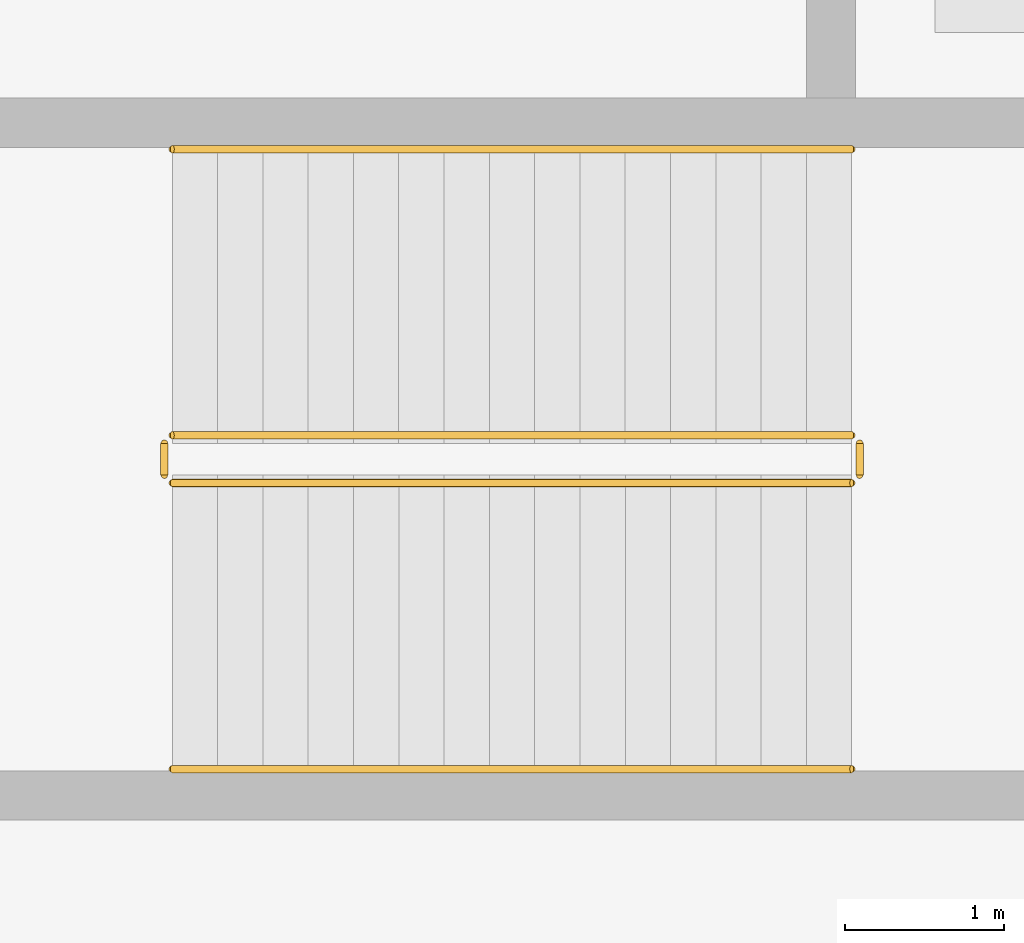
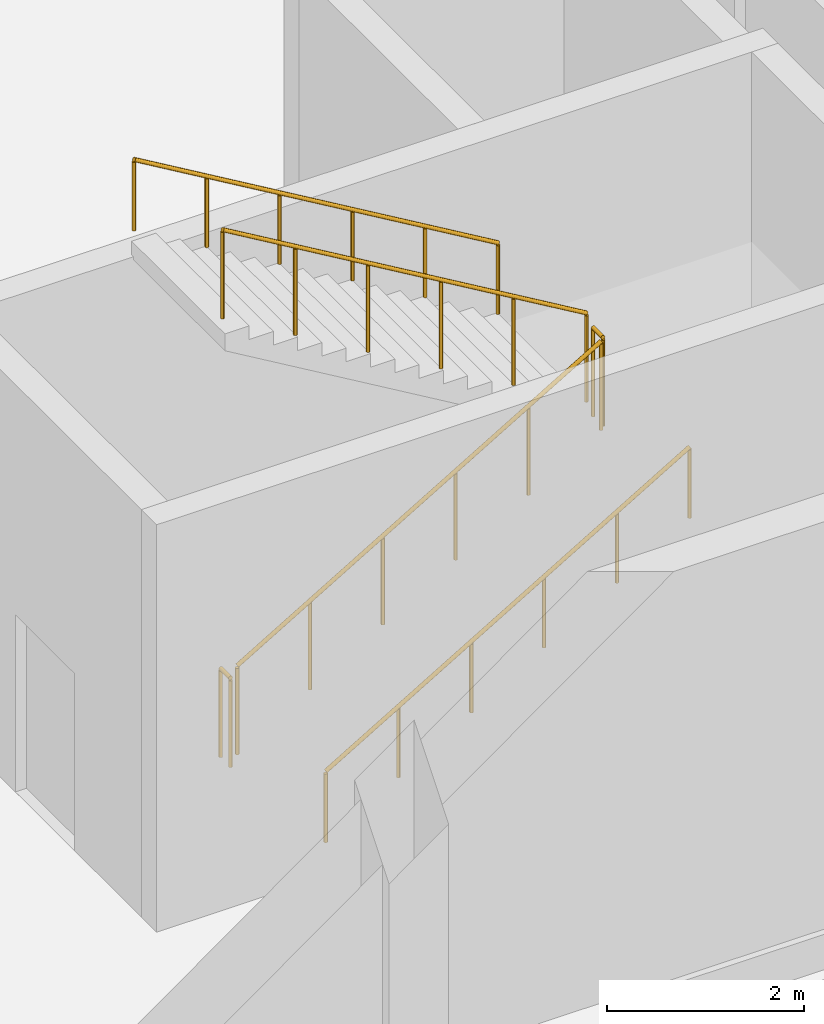
# One storey, part 35 of 41: 6 railings.
"""IFC4 building model written with IfcOpenShell, lengths in metres."""

from ifc_helpers import new_model, si_unit, direction, frame, origin, origin_2d, place, context, subcontext, project, spatial, circle, extrude, material, type_object, element, save


model = new_model("IFC4")

# Units and contexts
model_context = context("Model", 3, precision=1e-05, world=origin(), true_north=direction((0.0, 1.0)))
body_context = subcontext(model_context, "Body", "Model", "MODEL_VIEW")
ifc_project = project(units=[si_unit("LENGTHUNIT", "METRE"), si_unit("AREAUNIT", "SQUARE_METRE"), si_unit("VOLUMEUNIT", "CUBIC_METRE"), si_unit("PLANEANGLEUNIT", "RADIAN"), si_unit("MASSUNIT", "GRAM", prefix="KILO")], contexts=[model_context])

# Site, building, storey
site_placement = place(None, origin())
site = spatial("IfcSite", under=ifc_project, at=site_placement, CompositionType="ELEMENT")
building_placement = place(site_placement, origin())
building = spatial("IfcBuilding", under=site, at=building_placement, Name="Shalvenor Court Art Gallery", CompositionType="ELEMENT")
storey_placement = place(building_placement, frame((0.0, 0.0, -5.39990234375)))
storey = spatial("IfcBuildingStorey", under=building, at=storey_placement, Name="B01", CompositionType="ELEMENT", Elevation=-5.39990234375)

# Railings
ifc_material_1 = material(Name="Painted steel post-and-rail guard", Category="steel")
railing_type_1 = type_object("IfcRailingType", Name="GR-02", PredefinedType="GUARDRAIL", material=ifc_material_1)
railing_1_placement = place(storey_placement, frame((116.300048828125, 5.25, 0.168701171875)))
element("IfcRailing", 1, at=railing_1_placement, inside=storey, type_object=railing_type_1, Name="B01 ST-04 Stair Guard 1", PredefinedType="GUARDRAIL", context=body_context, shape_type="SweptSolid", body=[
    extrude(circle(Radius=0.02392578125, at=origin_2d()), frame((0.0, 0.0, 1.09619140625), z_axis=(0.860470286479, 0.0, 0.509500624227), x_axis=(0.0, 1.0, 0.0)), (0.0, 0.0, 1.0), 4.968017578125),
    extrude(circle(Radius=0.02099609375, at=origin_2d()), origin(), (0.0, 0.0, 1.0), 1.072021484375),
    extrude(circle(Radius=0.02099609375, at=origin_2d()), frame((0.85498046875, 0.0, 0.50634765625)), (0.0, 0.0, 1.0), 1.072021484375),
    extrude(circle(Radius=0.02099609375, at=origin_2d()), frame((1.7099609375, 0.0, 1.012451171875)), (0.0, 0.0, 1.0), 1.072021484375),
    extrude(circle(Radius=0.02099609375, at=origin_2d()), frame((2.56494140625, 0.0, 1.518798828125)), (0.0, 0.0, 1.0), 1.072021484375),
    extrude(circle(Radius=0.02099609375, at=origin_2d()), frame((3.419921875, 0.0, 2.02490234375)), (0.0, 0.0, 1.0), 1.072021484375),
    extrude(circle(Radius=0.02099609375, at=origin_2d()), frame((4.27490234375, 0.0, 2.53125)), (0.0, 0.0, 1.0), 1.072021484375),
])
railing_2_placement = place(storey_placement, frame((120.625, 5.300048828125, 2.699951171875)))
element("IfcRailing", 2, at=railing_2_placement, inside=storey, type_object=railing_type_1, Name="B01 ST-04 Stair Guard 2", PredefinedType="GUARDRAIL", context=body_context, shape_type="SweptSolid", body=[
    extrude(circle(Radius=0.02392578125, at=origin_2d()), frame((0.0, 0.0, 1.09619140625), z_axis=(0.0, 1.0, 0.0), x_axis=(-1.0, 0.0, 0.0)), (0.0, 0.0, 1.0), 0.199951171875),
    extrude(circle(Radius=0.02099609375, at=origin_2d()), origin(), (0.0, 0.0, 1.0), 1.072021484375),
    extrude(circle(Radius=0.02099609375, at=origin_2d()), frame((0.0, 0.199951171875, 0.0)), (0.0, 0.0, 1.0), 1.072021484375),
])
railing_3_placement = place(storey_placement, frame((120.574951171875, 5.550048828125, 2.86865234375)))
element("IfcRailing", 3, at=railing_3_placement, inside=storey, type_object=railing_type_1, Name="B01 ST-04 Stair Guard 3", PredefinedType="GUARDRAIL", context=body_context, shape_type="SweptSolid", body=[
    extrude(circle(Radius=0.02392578125, at=origin_2d()), frame((0.0, 0.0, 1.09619140625), z_axis=(-0.860470286479, 0.0, 0.509500624227), x_axis=(0.0, -1.0, 0.0)), (0.0, 0.0, 1.0), 4.968017578125),
    extrude(circle(Radius=0.02099609375, at=origin_2d()), origin(), (0.0, 0.0, 1.0), 1.072021484375),
    extrude(circle(Radius=0.02099609375, at=origin_2d()), frame((-0.85498046875, 0.0, 0.50634765625)), (0.0, 0.0, 1.0), 1.072021484375),
    extrude(circle(Radius=0.02099609375, at=origin_2d()), frame((-1.7099609375, 0.0, 1.012451171875)), (0.0, 0.0, 1.0), 1.072021484375),
    extrude(circle(Radius=0.02099609375, at=origin_2d()), frame((-2.56494140625, 0.0, 1.518798828125)), (0.0, 0.0, 1.0), 1.072021484375),
    extrude(circle(Radius=0.02099609375, at=origin_2d()), frame((-3.419921875, 0.0, 2.02490234375)), (0.0, 0.0, 1.0), 1.072021484375),
    extrude(circle(Radius=0.02099609375, at=origin_2d()), frame((-4.27490234375, 0.0, 2.53125)), (0.0, 0.0, 1.0), 1.072021484375),
])
railing_4_placement = place(storey_placement, frame((116.25, 5.300048828125, 0.0)))
element("IfcRailing", 4, at=railing_4_placement, inside=storey, type_object=railing_type_1, Name="B01 ST-04 Stair Guard 4", PredefinedType="GUARDRAIL", context=body_context, shape_type="SweptSolid", body=[
    extrude(circle(Radius=0.02392578125, at=origin_2d()), frame((0.0, 0.0, 1.09619140625), z_axis=(0.0, 1.0, 0.0), x_axis=(-1.0, 0.0, 0.0)), (0.0, 0.0, 1.0), 0.199951171875),
    extrude(circle(Radius=0.02099609375, at=origin_2d()), origin(), (0.0, 0.0, 1.0), 1.072021484375),
    extrude(circle(Radius=0.02099609375, at=origin_2d()), frame((0.0, 0.199951171875, 0.0)), (0.0, 0.0, 1.0), 1.072021484375),
])
ifc_material_2 = material(Name="Brushed stainless steel handrail", Category="steel")
railing_type_2 = type_object("IfcRailingType", Name="HR-01", PredefinedType="HANDRAIL", material=ifc_material_2)
railing_5_placement = place(storey_placement, frame((116.300048828125, 3.449951171875, 0.168701171875)))
element("IfcRailing", 5, at=railing_5_placement, inside=storey, type_object=railing_type_2, Name="B01 ST-04 Stair Handrail 1", PredefinedType="HANDRAIL", context=body_context, shape_type="SweptSolid", body=[
    extrude(circle(Radius=0.02392578125, at=origin_2d()), frame((0.0, 0.0, 0.8759765625), z_axis=(0.860470286479, 0.0, 0.509500624227), x_axis=(0.0, 1.0, 0.0)), (0.0, 0.0, 1.0), 4.968017578125),
    extrude(circle(Radius=0.02099609375, at=origin_2d()), origin(), (0.0, 0.0, 1.0), 0.851806640625),
    extrude(circle(Radius=0.02099609375, at=origin_2d()), frame((0.85498046875, 0.0, 0.50634765625)), (0.0, 0.0, 1.0), 0.851806640625),
    extrude(circle(Radius=0.02099609375, at=origin_2d()), frame((1.7099609375, 0.0, 1.012451171875)), (0.0, 0.0, 1.0), 0.851806640625),
    extrude(circle(Radius=0.02099609375, at=origin_2d()), frame((2.56494140625, 0.0, 1.518798828125)), (0.0, 0.0, 1.0), 0.851806640625),
    extrude(circle(Radius=0.02099609375, at=origin_2d()), frame((3.419921875, 0.0, 2.02490234375)), (0.0, 0.0, 1.0), 0.851806640625),
    extrude(circle(Radius=0.02099609375, at=origin_2d()), frame((4.27490234375, 0.0, 2.53125)), (0.0, 0.0, 1.0), 0.851806640625),
])
railing_6_placement = place(storey_placement, frame((120.574951171875, 7.35009765625, 2.86865234375)))
element("IfcRailing", 6, at=railing_6_placement, inside=storey, type_object=railing_type_2, Name="B01 ST-04 Stair Handrail 2", PredefinedType="HANDRAIL", context=body_context, shape_type="SweptSolid", body=[
    extrude(circle(Radius=0.02392578125, at=origin_2d()), frame((0.0, 0.0, 0.8759765625), z_axis=(-0.860470286479, 0.0, 0.509500624227), x_axis=(0.0, -1.0, 0.0)), (0.0, 0.0, 1.0), 4.968017578125),
    extrude(circle(Radius=0.02099609375, at=origin_2d()), origin(), (0.0, 0.0, 1.0), 0.851806640625),
    extrude(circle(Radius=0.02099609375, at=origin_2d()), frame((-0.85498046875, 0.0, 0.50634765625)), (0.0, 0.0, 1.0), 0.851806640625),
    extrude(circle(Radius=0.02099609375, at=origin_2d()), frame((-1.7099609375, 0.0, 1.012451171875)), (0.0, 0.0, 1.0), 0.851806640625),
    extrude(circle(Radius=0.02099609375, at=origin_2d()), frame((-2.56494140625, 0.0, 1.518798828125)), (0.0, 0.0, 1.0), 0.851806640625),
    extrude(circle(Radius=0.02099609375, at=origin_2d()), frame((-3.419921875, 0.0, 2.02490234375)), (0.0, 0.0, 1.0), 0.851806640625),
    extrude(circle(Radius=0.02099609375, at=origin_2d()), frame((-4.27490234375, 0.0, 2.53125)), (0.0, 0.0, 1.0), 0.851806640625),
])

save(model, "model.ifc")
